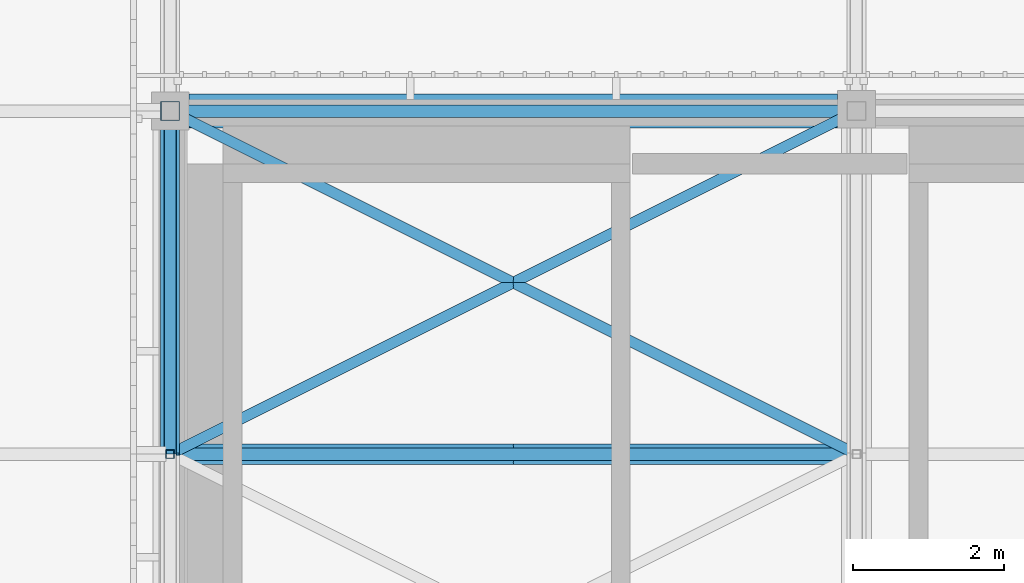
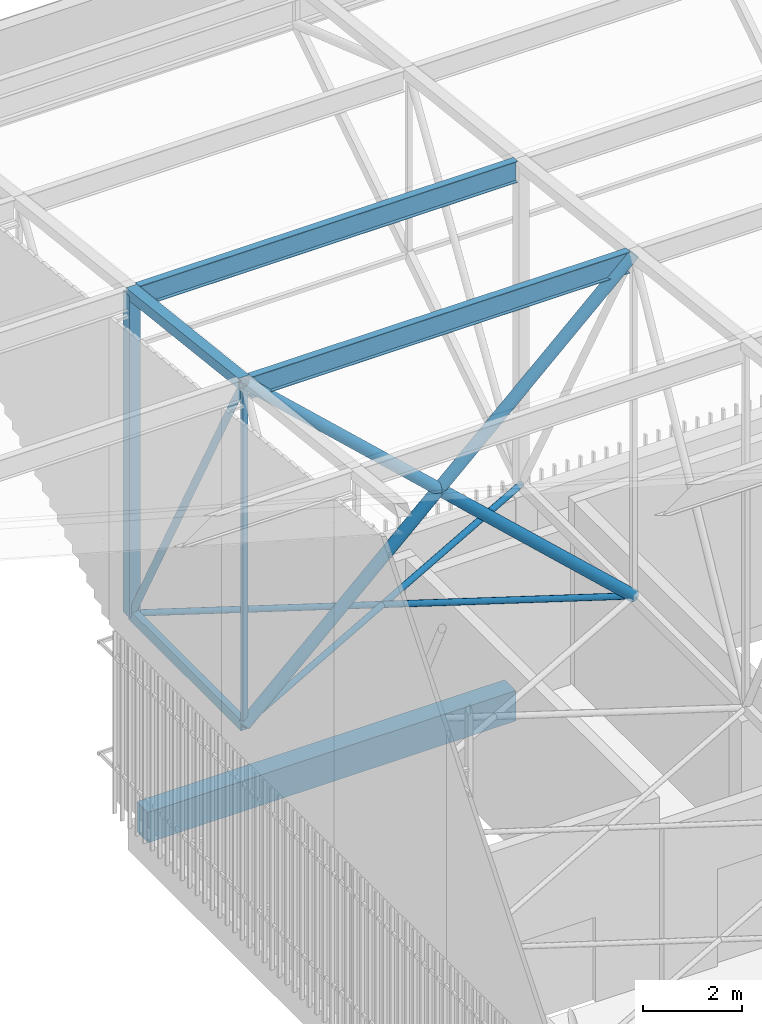
# One storey, part 228 of 500: 11 members, 1 beam.
"""IFC4 building model written with IfcOpenShell, lengths in metres."""

from ifc_helpers import new_model, si_unit, direction, frame, origin, origin_2d, place, context, subcontext, project, spatial, rectangle, hollow_rectangle, hollow_circle, i_section, extrude, material, material_profile, profile_set, type_object, element, save


model = new_model("IFC4")

# Units and contexts
model_context = context("Model", 3, precision=1e-05, world=origin(), true_north=direction((0.0, 1.0)))
body_context = subcontext(model_context, "Body", "Model", "MODEL_VIEW")
ifc_project = project(units=[si_unit("LENGTHUNIT", "METRE"), si_unit("AREAUNIT", "SQUARE_METRE"), si_unit("VOLUMEUNIT", "CUBIC_METRE"), si_unit("PLANEANGLEUNIT", "RADIAN"), si_unit("MASSUNIT", "GRAM", prefix="KILO")], contexts=[model_context])

# Site, building, storey
site_placement = place(None, origin())
site = spatial("IfcSite", under=ifc_project, at=site_placement, CompositionType="ELEMENT")
building_placement = place(site_placement, origin())
building = spatial("IfcBuilding", under=site, at=building_placement, Name="Shirokan Park Arena", CompositionType="ELEMENT")
storey_placement = place(building_placement, frame((0.0, 0.0, 29.1201171875)))
storey = spatial("IfcBuildingStorey", under=building, at=storey_placement, Name="L06", CompositionType="ELEMENT", Elevation=29.1201171875)

# Members
ifc_material_1 = material(Name="Steel ASTM A500 Grade C", Category="steel")
ifc_material_profile_1 = material_profile(ifc_material_1, hollow_circle(Radius=0.136474609375, WallThickness=0.009521484375, at=origin_2d()), Name="HSS273.1X9.5")
ifc_profile_set_1 = profile_set([ifc_material_profile_1], Name="Steel ASTM A500 Grade C")
member_type_1 = type_object("IfcMemberType", Name="Bearing bracing HSS273.1X9.5", PredefinedType="BRACE", material=ifc_profile_set_1)
for number, where, z_axis, x_axis, name in (
    (1, (0.0, 104.64990234375, 4.677001953125), (0.732162134473, 0.0, 0.681130390486), (0.0, 1.0, 0.0), "Bearing bracing bay 1 node 26 A"),
    (2, (9.10009765625, 104.64990234375, 4.677001953125), (-0.732162134473, 0.0, 0.681130390486), (0.0, -1.0, 0.0), "Bearing bracing bay 1 node 26 B"),
):
    element("IfcMember", number, at=place(storey_placement, frame(where, z_axis=z_axis, x_axis=x_axis)), inside=storey, type_object=member_type_1, Name=name, PredefinedType="BRACE", context=body_context, shape_type="SweptSolid", body=[
        extrude(hollow_circle(Radius=0.136474609375, WallThickness=0.009521484375, at=origin_2d()), origin(), (0.0, 0.0, 1.0), 12.428955078125),
    ])
ifc_material_profile_2 = material_profile(ifc_material_1, hollow_rectangle(XDim=0.152099609375, YDim=0.25390625, WallThickness=0.009521484375, at=origin_2d()), Name="HSS254X152.4X9.5")
ifc_profile_set_2 = profile_set([ifc_material_profile_2], Name="Steel ASTM A500 Grade C")
member_type_2 = type_object("IfcMemberType", Name="Bottom chord HSS254X152.4X9.5", PredefinedType="CHORD", material=ifc_profile_set_2)
member_1_placement = place(storey_placement, frame((0.0, 104.64990234375, 4.677001953125), z_axis=(0.0, 1.0, 0.0), x_axis=(-1.0, 0.0, 0.0)))
element("IfcMember", 3, at=member_1_placement, inside=storey, type_object=member_type_2, Name="Truss T01 bottom chord 26", PredefinedType="CHORD", context=body_context, shape_type="SweptSolid", body=[
    extrude(hollow_rectangle(XDim=0.152099609375, YDim=0.25390625, WallThickness=0.009521484375, at=origin_2d()), origin(), (0.0, 0.0, 1.0), 4.550048828125),
])
ifc_material_profile_3 = material_profile(ifc_material_1, hollow_circle(Radius=0.070556640625, WallThickness=0.009521484375, at=origin_2d()), Name="HSS141.3X9.5")
ifc_profile_set_3 = profile_set([ifc_material_profile_3], Name="Steel ASTM A500 Grade C")
member_type_3 = type_object("IfcMemberType", Name="Plan bracing HSS141.3X9.5", PredefinedType="BRACE", material=ifc_profile_set_3)
for number, where, z_axis, x_axis, name in (
    (4, (0.0, 104.64990234375, 4.677001953125), (0.894427191, 0.4472135955, 0.0), (-0.4472135955, 0.894427191, 0.0), "Plan bracing bay 1 panel 26 A"),
    (5, (9.10009765625, 104.64990234375, 4.677001953125), (-0.894427191, 0.4472135955, 0.0), (-0.4472135955, -0.894427191, 0.0), "Plan bracing bay 1 panel 26 B"),
):
    element("IfcMember", number, at=place(storey_placement, frame(where, z_axis=z_axis, x_axis=x_axis)), inside=storey, type_object=member_type_3, Name=name, PredefinedType="BRACE", context=body_context, shape_type="SweptSolid", body=[
        extrude(hollow_circle(Radius=0.070556640625, WallThickness=0.009521484375, at=origin_2d()), origin(), (0.0, 0.0, 1.0), 10.17431640625),
    ])
ifc_material_2 = material(Name="Steel ASTM A992", Category="steel")
ifc_material_profile_4 = material_profile(ifc_material_2, i_section(OverallWidth=0.166015625, OverallDepth=0.528076171875, WebThickness=0.009765625, FlangeThickness=0.013671875, at=origin_2d()), Name="W530X74")
ifc_profile_set_4 = profile_set([ifc_material_profile_4], Name="Steel ASTM A992")
member_type_4 = type_object("IfcMemberType", Name="Purlin W530X74", PredefinedType="PURLIN", material=ifc_profile_set_4)
for number, where, z_axis, x_axis, name in (
    (6, (0.126953125, 104.64990234375, 13.005859375), (1.0, 0.0, 0.0), (0.0, 1.0, 0.0), "Purlin 26 bay 1"),
    (7, (0.126953125, 109.199951171875, 12.48583984375), (1.0, 0.0, 0.0), (0.0, 1.0, 0.0), "Purlin 27 bay 1"),
):
    element("IfcMember", number, at=place(storey_placement, frame(where, z_axis=z_axis, x_axis=x_axis)), inside=storey, type_object=member_type_4, Name=name, PredefinedType="PURLIN", context=body_context, shape_type="SweptSolid", body=[
        extrude(i_section(OverallWidth=0.166015625, OverallDepth=0.528076171875, WebThickness=0.009765625, FlangeThickness=0.013671875, at=origin_2d()), origin(), (0.0, 0.0, 1.0), 8.845947265625),
    ])

# Beam
ifc_material_3 = material(Name="Concrete C35", Category="concrete")
ifc_material_profile_5 = material_profile(ifc_material_3, rectangle(XDim=0.449951171875, YDim=0.75, at=origin_2d()), Name="450x750")
ifc_profile_set_5 = profile_set([ifc_material_profile_5], Name="Concrete C35")
beam_type = type_object("IfcBeamType", Name="RC girder 450x750", PredefinedType="BEAM", material=ifc_profile_set_5)
beam_placement = place(storey_placement, frame((0.25, 109.199951171875, -0.5751953125), z_axis=(1.0, 0.0, 0.0), x_axis=(0.0, 1.0, 0.0)))
element("IfcBeam", 8, at=beam_placement, inside=storey, type_object=beam_type, Name="Girder 1N-2N L06", PredefinedType="BEAM", context=body_context, shape_type="SweptSolid", body=[
    extrude(rectangle(XDim=0.449951171875, YDim=0.75, at=origin_2d()), origin(), (0.0, 0.0, 1.0), 8.599853515625),
])

# Members
ifc_material_profile_6 = material_profile(ifc_material_1, hollow_rectangle(XDim=0.25390625, YDim=0.25390625, WallThickness=0.009521484375, at=origin_2d()), Name="HSS254X254X9.5")
ifc_profile_set_6 = profile_set([ifc_material_profile_6], Name="Steel ASTM A500 Grade C")
member_type_5 = type_object("IfcMemberType", Name="Top chord HSS254X254X9.5", PredefinedType="CHORD", material=ifc_profile_set_6)
member_2_placement = place(storey_placement, frame((0.0, 104.64990234375, 13.142822265625), z_axis=(0.0, 0.993532328996, -0.113549598152), x_axis=(-1.0, 0.0, 0.0)))
element("IfcMember", 9, at=member_2_placement, inside=storey, type_object=member_type_5, Name="Truss T01 top chord 26", PredefinedType="CHORD", context=body_context, shape_type="SweptSolid", body=[
    extrude(hollow_rectangle(XDim=0.25390625, YDim=0.25390625, WallThickness=0.009521484375, at=origin_2d()), origin(), (0.0, 0.0, 1.0), 4.57958984375),
])
ifc_material_profile_7 = material_profile(ifc_material_1, hollow_circle(Radius=0.083984375, WallThickness=0.009521484375, at=origin_2d()), Name="HSS168.3X9.5")
ifc_profile_set_7 = profile_set([ifc_material_profile_7], Name="Steel ASTM A500 Grade C")
member_type_6 = type_object("IfcMemberType", Name="Truss diagonal HSS168.3X9.5", PredefinedType="BRACE", material=ifc_profile_set_7)
member_3_placement = place(storey_placement, frame((0.0, 104.64990234375, 13.142822265625), z_axis=(0.0, 0.473416507165, -0.880838697347), x_axis=(-1.0, 0.0, 0.0)))
element("IfcMember", 10, at=member_3_placement, inside=storey, type_object=member_type_6, Name="Truss T01 diagonal 26", PredefinedType="BRACE", context=body_context, shape_type="SweptSolid", body=[
    extrude(hollow_circle(Radius=0.083984375, WallThickness=0.009521484375, at=origin_2d()), origin(), (0.0, 0.0, 1.0), 9.611083984375),
])
ifc_material_profile_8 = material_profile(ifc_material_1, hollow_rectangle(XDim=0.114013671875, YDim=0.114013671875, WallThickness=0.00634765625, at=origin_2d()), Name="HSS114.3X114.3X6.4")
ifc_profile_set_8 = profile_set([ifc_material_profile_8], Name="Steel ASTM A500 Grade C")
member_type_7 = type_object("IfcMemberType", Name="Truss post HSS114.3X114.3X6.4", PredefinedType="POST", material=ifc_profile_set_8)
member_4_placement = place(storey_placement, frame((0.0, 104.64990234375, 4.677001953125), z_axis=(0.0, 0.0, 1.0), x_axis=(1.0, 0.0, 0.0)))
element("IfcMember", 11, at=member_4_placement, inside=storey, type_object=member_type_7, Name="Truss T01 post 26", PredefinedType="POST", context=body_context, shape_type="SweptSolid", body=[
    extrude(hollow_rectangle(XDim=0.114013671875, YDim=0.114013671875, WallThickness=0.00634765625, at=origin_2d()), origin(), (0.0, 0.0, 1.0), 8.4658203125),
])
ifc_material_profile_9 = material_profile(ifc_material_1, hollow_rectangle(XDim=0.25390625, YDim=0.25390625, WallThickness=0.009521484375, at=origin_2d()), Name="HSS254X254X9.5")
ifc_profile_set_9 = profile_set([ifc_material_profile_9], Name="Steel ASTM A500 Grade C")
member_type_8 = type_object("IfcMemberType", Name="Truss post HSS254X254X9.5", PredefinedType="POST", material=ifc_profile_set_9)
member_5_placement = place(storey_placement, frame((0.0, 109.199951171875, 4.677001953125), z_axis=(0.0, 0.0, 1.0), x_axis=(1.0, 0.0, 0.0)))
element("IfcMember", 12, at=member_5_placement, inside=storey, type_object=member_type_8, Name="Truss T01 post 27", PredefinedType="POST", context=body_context, shape_type="SweptSolid", body=[
    extrude(hollow_rectangle(XDim=0.25390625, YDim=0.25390625, WallThickness=0.009521484375, at=origin_2d()), origin(), (0.0, 0.0, 1.0), 7.94580078125),
])

save(model, "model.ifc")
